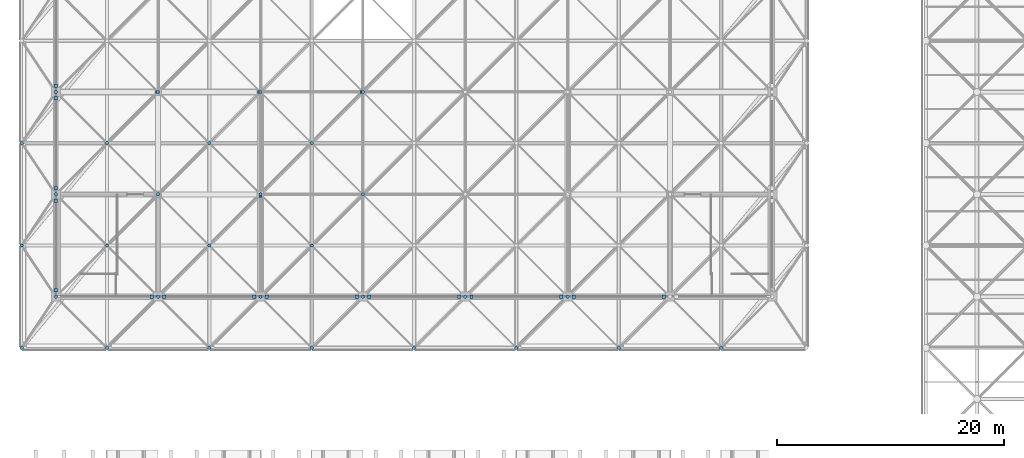
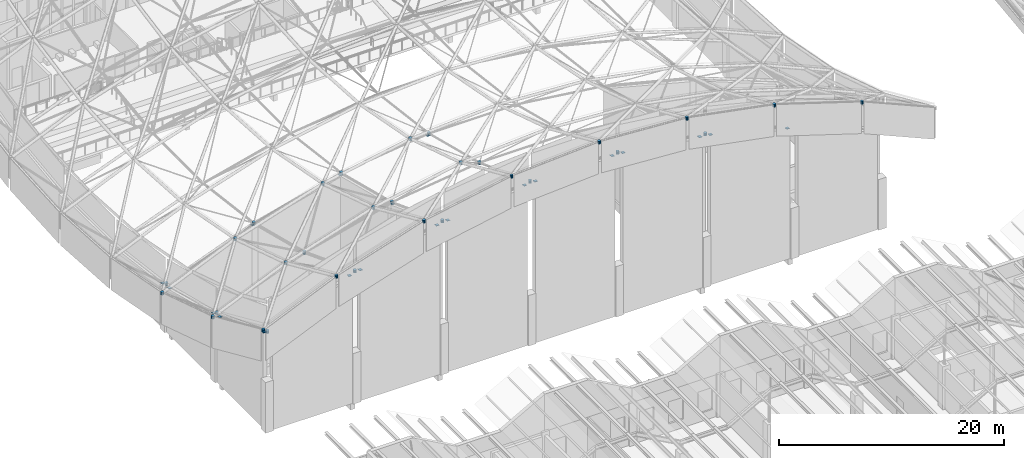
# One storey, part 354 of 437: 50 discrete accessories.
"""IFC4 building model written with IfcOpenShell, lengths in metres."""

from ifc_helpers import new_model, si_unit, direction, frame, origin, origin_2d, place, context, subcontext, project, spatial, polyline, rectangle, outline, extrude, material, layer, layer_set, type_object, element, save


model = new_model("IFC4")

# Units and contexts
model_context = context("Model", 3, precision=1e-05, world=origin(), true_north=direction((0.0, 1.0)))
body_context = subcontext(model_context, "Body", "Model", "MODEL_VIEW")
ifc_project = project(units=[si_unit("LENGTHUNIT", "METRE"), si_unit("AREAUNIT", "SQUARE_METRE"), si_unit("VOLUMEUNIT", "CUBIC_METRE"), si_unit("PLANEANGLEUNIT", "RADIAN"), si_unit("MASSUNIT", "GRAM", prefix="KILO")], contexts=[model_context])

# Site, building, storey
site_placement = place(None, origin())
site = spatial("IfcSite", under=ifc_project, at=site_placement, CompositionType="ELEMENT")
building_placement = place(site_placement, origin())
building = spatial("IfcBuilding", under=site, at=building_placement, Name="Opaline Strait Convention Centre", CompositionType="ELEMENT")
storey_placement = place(building_placement, frame((0.0, 0.0, 11.5)))
storey = spatial("IfcBuildingStorey", under=building, at=storey_placement, Name="L02", CompositionType="ELEMENT", Elevation=11.5)

# Discrete accessories
ifc_material_1 = material(Name="Steel Q355B", Category="steel")
ifc_layer = layer(ifc_material_1, 0.02001953125)
ifc_layer_set = layer_set([ifc_layer], Name="Steel Q355B")
discrete_accessory_type_1 = type_object("IfcDiscreteAccessoryType", Name="Cast-in anchor plate 300 x 300 x 20", PredefinedType="ANCHORPLATE", material=ifc_layer_set)
for number, where, z_axis, x_axis, name in (
    (1, (9.0, 117.5498046875, 10.3134765625), (0.0, 0.0, 1.0), (1.0, 0.0, 0.0), "Cast-in anchor plate at PWB1 web 1-1ad"),
    (2, (9.0, 125.4501953125, 7.18017578125), (0.0, 0.0, 1.0), (1.0, 0.0, 0.0), "Cast-in anchor plate at PWB1 web 1-2ac"),
    (3, (9.0, 126.5498046875, 6.935546875), (0.0, 0.0, 1.0), (1.0, 0.0, 0.0), "Cast-in anchor plate at PWB1 web 1-2ad"),
    (4, (9.0, 134.4501953125, 4.854736328125), (0.0, 0.0, 1.0), (1.0, 0.0, 0.0), "Cast-in anchor plate at PWB1 web 1-3ac"),
    (5, (9.0, 135.5498046875, 4.70068359375), (0.0, 0.0, 1.0), (1.0, 0.0, 0.0), "Cast-in anchor plate at PWB1 web 1-3ad"),
    (6, (17.4501953125, 117.0, 13.816162109375), (0.0, 0.0, 1.0), (1.0, 0.0, 0.0), "Cast-in anchor plate at PWB2 web 2-1ac"),
    (7, (18.5498046875, 117.0, 14.072998046875), (0.0, 0.0, 1.0), (1.0, 0.0, 0.0), "Cast-in anchor plate at PWB2 web 2-1bc"),
    (8, (17.893798828125, 135.0, 8.265380859375), (0.0, 0.0, 1.0), (1.0, 0.0, 0.0), "Cast-in anchor plate at PWB2 web 2-3ac"),
    (9, (26.4501953125, 117.0, 16.152587890625), (0.0, 0.0, 1.0), (1.0, 0.0, 0.0), "Cast-in anchor plate at PWB3 web 3-1ac"),
    (10, (27.5498046875, 117.0, 16.306396484375), (0.0, 0.0, 1.0), (1.0, 0.0, 0.0), "Cast-in anchor plate at PWB3 web 3-1bc"),
    (11, (27.0, 125.893798828125, 12.907470703125), (0.0, 0.0, 1.0), (1.0, 0.0, 0.0), "Cast-in anchor plate at PWB3 web 3-2ac"),
    (12, (26.89990234375, 135.0, 10.54638671875), (0.0, 0.0, 1.0), (1.0, 0.0, 0.0), "Cast-in anchor plate at PWB3 web 3-3ac"),
    (13, (35.4501953125, 117.0, 17.34619140625), (0.0, 0.0, 1.0), (1.0, 0.0, 0.0), "Cast-in anchor plate at PWB3 web 4-1ac"),
    (14, (36.5498046875, 117.0, 17.39697265625), (0.0, 0.0, 1.0), (1.0, 0.0, 0.0), "Cast-in anchor plate at PWB3 web 4-1bc"),
    (15, (35.893798828125, 135.0, 11.682861328125), (0.0, 0.0, 1.0), (1.0, 0.0, 0.0), "Cast-in anchor plate at PWB3 web 4-3ac"),
    (16, (44.4501953125, 117.0, 17.39697265625), (0.0, 0.0, 1.0), (1.0, 0.0, 0.0), "Cast-in anchor plate at PWB3 web 5-1ac"),
    (17, (45.5498046875, 117.0, 17.34619140625), (0.0, 0.0, 1.0), (1.0, 0.0, 0.0), "Cast-in anchor plate at PWB3 web 5-1bc"),
    (18, (53.4501953125, 117.0, 16.306396484375), (0.0, 0.0, 1.0), (1.0, 0.0, 0.0), "Cast-in anchor plate at PWB3 web 6-1ac"),
    (19, (54.5498046875, 117.0, 16.152587890625), (0.0, 0.0, 1.0), (1.0, 0.0, 0.0), "Cast-in anchor plate at PWB3 web 6-1bc"),
    (20, (62.4501953125, 117.0, 14.072998046875), (0.0, 0.0, 1.0), (1.0, 0.0, 0.0), "Cast-in anchor plate at PWB2 web 7-1ac"),
):
    element("IfcDiscreteAccessory", number, at=place(storey_placement, frame(where, z_axis=z_axis, x_axis=x_axis)), inside=storey, type_object=discrete_accessory_type_1, Name=name, PredefinedType="ANCHORPLATE", context=body_context, shape_type="SweptSolid", body=[
        extrude(rectangle(XDim=0.300048828125, YDim=0.300048828125, at=origin_2d()), origin(), (0.0, 0.0, 1.0), 0.02001953125),
    ])
ifc_material_2 = material(Name="Cast steel ZG300-500H (300 MPa)", Category="steel")
discrete_accessory_type_2 = type_object("IfcDiscreteAccessoryType", Name="Shell node hub D300 cast steel", PredefinedType="USERDEFINED", material=ifc_material_2)
discrete_accessory_1_placement = place(storey_placement, frame((0.0, 0.0, 10.5400390625)))
element("IfcDiscreteAccessory", 21, at=discrete_accessory_1_placement, inside=storey, type_object=discrete_accessory_type_2, Name="PNH1 node hub B1-1", ObjectType="NODE HUB", PredefinedType="USERDEFINED", context=body_context, shape_type="SweptSolid", body=[
    extrude(outline(polyline([(9.14990234375, 117.02978515625), (9.127197265625, 117.0849609375), (9.0849609375, 117.127197265625), (9.02978515625, 117.14990234375), (8.97021484375, 117.14990234375), (8.9150390625, 117.127197265625), (8.872802734375, 117.0849609375), (8.85009765625, 117.02978515625), (8.85009765625, 116.97021484375), (8.872802734375, 116.9150390625), (8.9150390625, 116.872802734375), (8.97021484375, 116.85009765625), (9.02978515625, 116.85009765625), (9.0849609375, 116.872802734375), (9.127197265625, 116.9150390625), (9.14990234375, 116.97021484375), (9.14990234375, 117.02978515625)])), origin(), (0.0, 0.0, 1.0), 0.31005859375),
])
discrete_accessory_2_placement = place(storey_placement, frame((0.0, 0.0, 7.111328125)))
element("IfcDiscreteAccessory", 22, at=discrete_accessory_2_placement, inside=storey, type_object=discrete_accessory_type_2, Name="PNH1 node hub B1-2", ObjectType="NODE HUB", PredefinedType="USERDEFINED", context=body_context, shape_type="SweptSolid", body=[
    extrude(outline(polyline([(9.14990234375, 126.02978515625), (9.127197265625, 126.0849609375), (9.0849609375, 126.127197265625), (9.02978515625, 126.14990234375), (8.97021484375, 126.14990234375), (8.9150390625, 126.127197265625), (8.872802734375, 126.0849609375), (8.85009765625, 126.02978515625), (8.85009765625, 125.97021484375), (8.872802734375, 125.9150390625), (8.9150390625, 125.872802734375), (8.97021484375, 125.85009765625), (9.02978515625, 125.85009765625), (9.0849609375, 125.872802734375), (9.127197265625, 125.9150390625), (9.14990234375, 125.97021484375), (9.14990234375, 126.02978515625)])), origin(), (0.0, 0.0, 1.0), 0.31005859375),
])
discrete_accessory_3_placement = place(storey_placement, frame((0.0, 0.0, 4.82568359375)))
element("IfcDiscreteAccessory", 23, at=discrete_accessory_3_placement, inside=storey, type_object=discrete_accessory_type_2, Name="PNH1 node hub B1-3", ObjectType="NODE HUB", PredefinedType="USERDEFINED", context=body_context, shape_type="SweptSolid", body=[
    extrude(outline(polyline([(9.14990234375, 135.02978515625), (9.127197265625, 135.0849609375), (9.0849609375, 135.127197265625), (9.02978515625, 135.14990234375), (8.97021484375, 135.14990234375), (8.9150390625, 135.127197265625), (8.872802734375, 135.0849609375), (8.85009765625, 135.02978515625), (8.85009765625, 134.97021484375), (8.872802734375, 134.9150390625), (8.9150390625, 134.872802734375), (8.97021484375, 134.85009765625), (9.02978515625, 134.85009765625), (9.0849609375, 134.872802734375), (9.127197265625, 134.9150390625), (9.14990234375, 134.97021484375), (9.14990234375, 135.02978515625)])), origin(), (0.0, 0.0, 1.0), 0.31005859375),
])
discrete_accessory_4_placement = place(storey_placement, frame((0.0, 0.0, 13.968505859375)))
element("IfcDiscreteAccessory", 24, at=discrete_accessory_4_placement, inside=storey, type_object=discrete_accessory_type_2, Name="PNH1 node hub B2-1", ObjectType="NODE HUB", PredefinedType="USERDEFINED", context=body_context, shape_type="SweptSolid", body=[
    extrude(outline(polyline([(18.14990234375, 117.02978515625), (18.127197265625, 117.0849609375), (18.0849609375, 117.127197265625), (18.02978515625, 117.14990234375), (17.97021484375, 117.14990234375), (17.9150390625, 117.127197265625), (17.872802734375, 117.0849609375), (17.85009765625, 117.02978515625), (17.85009765625, 116.97021484375), (17.872802734375, 116.9150390625), (17.9150390625, 116.872802734375), (17.97021484375, 116.85009765625), (18.02978515625, 116.85009765625), (18.0849609375, 116.872802734375), (18.127197265625, 116.9150390625), (18.14990234375, 116.97021484375), (18.14990234375, 117.02978515625)])), origin(), (0.0, 0.0, 1.0), 0.31005859375),
])
discrete_accessory_5_placement = place(storey_placement, frame((0.0, 0.0, 10.5400390625)))
element("IfcDiscreteAccessory", 25, at=discrete_accessory_5_placement, inside=storey, type_object=discrete_accessory_type_2, Name="PNH1 node hub B2-2", ObjectType="NODE HUB", PredefinedType="USERDEFINED", context=body_context, shape_type="SweptSolid", body=[
    extrude(outline(polyline([(18.14990234375, 126.02978515625), (18.127197265625, 126.0849609375), (18.0849609375, 126.127197265625), (18.02978515625, 126.14990234375), (17.97021484375, 126.14990234375), (17.9150390625, 126.127197265625), (17.872802734375, 126.0849609375), (17.85009765625, 126.02978515625), (17.85009765625, 125.97021484375), (17.872802734375, 125.9150390625), (17.9150390625, 125.872802734375), (17.97021484375, 125.85009765625), (18.02978515625, 125.85009765625), (18.0849609375, 125.872802734375), (18.127197265625, 125.9150390625), (18.14990234375, 125.97021484375), (18.14990234375, 126.02978515625)])), origin(), (0.0, 0.0, 1.0), 0.31005859375),
])
discrete_accessory_6_placement = place(storey_placement, frame((0.0, 0.0, 8.25439453125)))
element("IfcDiscreteAccessory", 26, at=discrete_accessory_6_placement, inside=storey, type_object=discrete_accessory_type_2, Name="PNH1 node hub B2-3", ObjectType="NODE HUB", PredefinedType="USERDEFINED", context=body_context, shape_type="SweptSolid", body=[
    extrude(outline(polyline([(18.14990234375, 135.02978515625), (18.127197265625, 135.0849609375), (18.0849609375, 135.127197265625), (18.02978515625, 135.14990234375), (17.97021484375, 135.14990234375), (17.9150390625, 135.127197265625), (17.872802734375, 135.0849609375), (17.85009765625, 135.02978515625), (17.85009765625, 134.97021484375), (17.872802734375, 134.9150390625), (17.9150390625, 134.872802734375), (17.97021484375, 134.85009765625), (18.02978515625, 134.85009765625), (18.0849609375, 134.872802734375), (18.127197265625, 134.9150390625), (18.14990234375, 134.97021484375), (18.14990234375, 135.02978515625)])), origin(), (0.0, 0.0, 1.0), 0.309814453125),
])
discrete_accessory_7_placement = place(storey_placement, frame((0.0, 0.0, 16.25439453125)))
element("IfcDiscreteAccessory", 27, at=discrete_accessory_7_placement, inside=storey, type_object=discrete_accessory_type_2, Name="PNH1 node hub B3-1", ObjectType="NODE HUB", PredefinedType="USERDEFINED", context=body_context, shape_type="SweptSolid", body=[
    extrude(outline(polyline([(27.14990234375, 117.02978515625), (27.127197265625, 117.0849609375), (27.0849609375, 117.127197265625), (27.02978515625, 117.14990234375), (26.97021484375, 117.14990234375), (26.9150390625, 117.127197265625), (26.872802734375, 117.0849609375), (26.85009765625, 117.02978515625), (26.85009765625, 116.97021484375), (26.872802734375, 116.9150390625), (26.9150390625, 116.872802734375), (26.97021484375, 116.85009765625), (27.02978515625, 116.85009765625), (27.0849609375, 116.872802734375), (27.127197265625, 116.9150390625), (27.14990234375, 116.97021484375), (27.14990234375, 117.02978515625)])), origin(), (0.0, 0.0, 1.0), 0.309814453125),
])
discrete_accessory_8_placement = place(storey_placement, frame((0.0, 0.0, 12.82568359375)))
element("IfcDiscreteAccessory", 28, at=discrete_accessory_8_placement, inside=storey, type_object=discrete_accessory_type_2, Name="PNH1 node hub B3-2", ObjectType="NODE HUB", PredefinedType="USERDEFINED", context=body_context, shape_type="SweptSolid", body=[
    extrude(outline(polyline([(27.14990234375, 126.02978515625), (27.127197265625, 126.0849609375), (27.0849609375, 126.127197265625), (27.02978515625, 126.14990234375), (26.97021484375, 126.14990234375), (26.9150390625, 126.127197265625), (26.872802734375, 126.0849609375), (26.85009765625, 126.02978515625), (26.85009765625, 125.97021484375), (26.872802734375, 125.9150390625), (26.9150390625, 125.872802734375), (26.97021484375, 125.85009765625), (27.02978515625, 125.85009765625), (27.0849609375, 125.872802734375), (27.127197265625, 125.9150390625), (27.14990234375, 125.97021484375), (27.14990234375, 126.02978515625)])), origin(), (0.0, 0.0, 1.0), 0.31005859375),
])
discrete_accessory_9_placement = place(storey_placement, frame((0.0, 0.0, 10.5400390625)))
element("IfcDiscreteAccessory", 29, at=discrete_accessory_9_placement, inside=storey, type_object=discrete_accessory_type_2, Name="PNH1 node hub B3-3", ObjectType="NODE HUB", PredefinedType="USERDEFINED", context=body_context, shape_type="SweptSolid", body=[
    extrude(outline(polyline([(27.14990234375, 135.02978515625), (27.127197265625, 135.0849609375), (27.0849609375, 135.127197265625), (27.02978515625, 135.14990234375), (26.97021484375, 135.14990234375), (26.9150390625, 135.127197265625), (26.872802734375, 135.0849609375), (26.85009765625, 135.02978515625), (26.85009765625, 134.97021484375), (26.872802734375, 134.9150390625), (26.9150390625, 134.872802734375), (26.97021484375, 134.85009765625), (27.02978515625, 134.85009765625), (27.0849609375, 134.872802734375), (27.127197265625, 134.9150390625), (27.14990234375, 134.97021484375), (27.14990234375, 135.02978515625)])), origin(), (0.0, 0.0, 1.0), 0.31005859375),
])
discrete_accessory_10_placement = place(storey_placement, frame((0.0, 0.0, 17.397216796875)))
element("IfcDiscreteAccessory", 30, at=discrete_accessory_10_placement, inside=storey, type_object=discrete_accessory_type_2, Name="PNH1 node hub B4-1", ObjectType="NODE HUB", PredefinedType="USERDEFINED", context=body_context, shape_type="SweptSolid", body=[
    extrude(outline(polyline([(36.14990234375, 117.02978515625), (36.127197265625, 117.0849609375), (36.0849609375, 117.127197265625), (36.02978515625, 117.14990234375), (35.97021484375, 117.14990234375), (35.9150390625, 117.127197265625), (35.872802734375, 117.0849609375), (35.85009765625, 117.02978515625), (35.85009765625, 116.97021484375), (35.872802734375, 116.9150390625), (35.9150390625, 116.872802734375), (35.97021484375, 116.85009765625), (36.02978515625, 116.85009765625), (36.0849609375, 116.872802734375), (36.127197265625, 116.9150390625), (36.14990234375, 116.97021484375), (36.14990234375, 117.02978515625)])), origin(), (0.0, 0.0, 1.0), 0.309814453125),
])
discrete_accessory_11_placement = place(storey_placement, frame((0.0, 0.0, 13.968505859375)))
element("IfcDiscreteAccessory", 31, at=discrete_accessory_11_placement, inside=storey, type_object=discrete_accessory_type_2, Name="PNH1 node hub B4-2", ObjectType="NODE HUB", PredefinedType="USERDEFINED", context=body_context, shape_type="SweptSolid", body=[
    extrude(outline(polyline([(36.14990234375, 126.02978515625), (36.127197265625, 126.0849609375), (36.0849609375, 126.127197265625), (36.02978515625, 126.14990234375), (35.97021484375, 126.14990234375), (35.9150390625, 126.127197265625), (35.872802734375, 126.0849609375), (35.85009765625, 126.02978515625), (35.85009765625, 125.97021484375), (35.872802734375, 125.9150390625), (35.9150390625, 125.872802734375), (35.97021484375, 125.85009765625), (36.02978515625, 125.85009765625), (36.0849609375, 125.872802734375), (36.127197265625, 125.9150390625), (36.14990234375, 125.97021484375), (36.14990234375, 126.02978515625)])), origin(), (0.0, 0.0, 1.0), 0.31005859375),
])
discrete_accessory_12_placement = place(storey_placement, frame((0.0, 0.0, 11.682861328125)))
element("IfcDiscreteAccessory", 32, at=discrete_accessory_12_placement, inside=storey, type_object=discrete_accessory_type_2, Name="PNH1 node hub B4-3", ObjectType="NODE HUB", PredefinedType="USERDEFINED", context=body_context, shape_type="SweptSolid", body=[
    extrude(outline(polyline([(36.14990234375, 135.02978515625), (36.127197265625, 135.0849609375), (36.0849609375, 135.127197265625), (36.02978515625, 135.14990234375), (35.97021484375, 135.14990234375), (35.9150390625, 135.127197265625), (35.872802734375, 135.0849609375), (35.85009765625, 135.02978515625), (35.85009765625, 134.97021484375), (35.872802734375, 134.9150390625), (35.9150390625, 134.872802734375), (35.97021484375, 134.85009765625), (36.02978515625, 134.85009765625), (36.0849609375, 134.872802734375), (36.127197265625, 134.9150390625), (36.14990234375, 134.97021484375), (36.14990234375, 135.02978515625)])), origin(), (0.0, 0.0, 1.0), 0.31005859375),
])
discrete_accessory_13_placement = place(storey_placement, frame((0.0, 0.0, 17.397216796875)))
element("IfcDiscreteAccessory", 33, at=discrete_accessory_13_placement, inside=storey, type_object=discrete_accessory_type_2, Name="PNH1 node hub B5-1", ObjectType="NODE HUB", PredefinedType="USERDEFINED", context=body_context, shape_type="SweptSolid", body=[
    extrude(outline(polyline([(45.14990234375, 117.02978515625), (45.127197265625, 117.0849609375), (45.0849609375, 117.127197265625), (45.02978515625, 117.14990234375), (44.97021484375, 117.14990234375), (44.9150390625, 117.127197265625), (44.872802734375, 117.0849609375), (44.85009765625, 117.02978515625), (44.85009765625, 116.97021484375), (44.872802734375, 116.9150390625), (44.9150390625, 116.872802734375), (44.97021484375, 116.85009765625), (45.02978515625, 116.85009765625), (45.0849609375, 116.872802734375), (45.127197265625, 116.9150390625), (45.14990234375, 116.97021484375), (45.14990234375, 117.02978515625)])), origin(), (0.0, 0.0, 1.0), 0.309814453125),
])
discrete_accessory_14_placement = place(storey_placement, frame((0.0, 0.0, 16.25439453125)))
element("IfcDiscreteAccessory", 34, at=discrete_accessory_14_placement, inside=storey, type_object=discrete_accessory_type_2, Name="PNH1 node hub B6-1", ObjectType="NODE HUB", PredefinedType="USERDEFINED", context=body_context, shape_type="SweptSolid", body=[
    extrude(outline(polyline([(54.14990234375, 117.02978515625), (54.127197265625, 117.0849609375), (54.0849609375, 117.127197265625), (54.02978515625, 117.14990234375), (53.97021484375, 117.14990234375), (53.9150390625, 117.127197265625), (53.872802734375, 117.0849609375), (53.85009765625, 117.02978515625), (53.85009765625, 116.97021484375), (53.872802734375, 116.9150390625), (53.9150390625, 116.872802734375), (53.97021484375, 116.85009765625), (54.02978515625, 116.85009765625), (54.0849609375, 116.872802734375), (54.127197265625, 116.9150390625), (54.14990234375, 116.97021484375), (54.14990234375, 117.02978515625)])), origin(), (0.0, 0.0, 1.0), 0.309814453125),
])
discrete_accessory_15_placement = place(storey_placement, frame((0.0, 0.0, 14.43603515625)))
element("IfcDiscreteAccessory", 35, at=discrete_accessory_15_placement, inside=storey, type_object=discrete_accessory_type_2, Name="PNH1 node hub T1-1", ObjectType="NODE HUB", PredefinedType="USERDEFINED", context=body_context, shape_type="SweptSolid", body=[
    extrude(outline(polyline([(6.14990234375, 112.52978515625), (6.127197265625, 112.5849609375), (6.0849609375, 112.627197265625), (6.02978515625, 112.64990234375), (5.97021484375, 112.64990234375), (5.9150390625, 112.627197265625), (5.872802734375, 112.5849609375), (5.85009765625, 112.52978515625), (5.85009765625, 112.47021484375), (5.872802734375, 112.4150390625), (5.9150390625, 112.372802734375), (5.97021484375, 112.35009765625), (6.02978515625, 112.35009765625), (6.0849609375, 112.372802734375), (6.127197265625, 112.4150390625), (6.14990234375, 112.47021484375), (6.14990234375, 112.52978515625)])), origin(), (0.0, 0.0, 1.0), 0.31005859375),
])
discrete_accessory_16_placement = place(storey_placement, frame((0.0, 0.0, 10.43603515625)))
element("IfcDiscreteAccessory", 36, at=discrete_accessory_16_placement, inside=storey, type_object=discrete_accessory_type_2, Name="PNH1 node hub T1-2", ObjectType="NODE HUB", PredefinedType="USERDEFINED", context=body_context, shape_type="SweptSolid", body=[
    extrude(outline(polyline([(6.14990234375, 121.52978515625), (6.127197265625, 121.5849609375), (6.0849609375, 121.627197265625), (6.02978515625, 121.64990234375), (5.97021484375, 121.64990234375), (5.9150390625, 121.627197265625), (5.872802734375, 121.5849609375), (5.85009765625, 121.52978515625), (5.85009765625, 121.47021484375), (5.872802734375, 121.4150390625), (5.9150390625, 121.372802734375), (5.97021484375, 121.35009765625), (6.02978515625, 121.35009765625), (6.0849609375, 121.372802734375), (6.127197265625, 121.4150390625), (6.14990234375, 121.47021484375), (6.14990234375, 121.52978515625)])), origin(), (0.0, 0.0, 1.0), 0.31005859375),
])
discrete_accessory_17_placement = place(storey_placement, frame((0.0, 0.0, 7.578857421875)))
element("IfcDiscreteAccessory", 37, at=discrete_accessory_17_placement, inside=storey, type_object=discrete_accessory_type_2, Name="PNH1 node hub T1-3", ObjectType="NODE HUB", PredefinedType="USERDEFINED", context=body_context, shape_type="SweptSolid", body=[
    extrude(outline(polyline([(6.14990234375, 130.52978515625), (6.127197265625, 130.5849609375), (6.0849609375, 130.627197265625), (6.02978515625, 130.64990234375), (5.97021484375, 130.64990234375), (5.9150390625, 130.627197265625), (5.872802734375, 130.5849609375), (5.85009765625, 130.52978515625), (5.85009765625, 130.47021484375), (5.872802734375, 130.4150390625), (5.9150390625, 130.372802734375), (5.97021484375, 130.35009765625), (6.02978515625, 130.35009765625), (6.0849609375, 130.372802734375), (6.127197265625, 130.4150390625), (6.14990234375, 130.47021484375), (6.14990234375, 130.52978515625)])), origin(), (0.0, 0.0, 1.0), 0.31005859375),
])
discrete_accessory_18_placement = place(storey_placement, frame((0.0, 0.0, 17.68994140625)))
element("IfcDiscreteAccessory", 38, at=discrete_accessory_18_placement, inside=storey, type_object=discrete_accessory_type_2, Name="PNH1 node hub T2-1", ObjectType="NODE HUB", PredefinedType="USERDEFINED", context=body_context, shape_type="SweptSolid", body=[
    extrude(outline(polyline([(13.64990234375, 112.52978515625), (13.627197265625, 112.5849609375), (13.5849609375, 112.627197265625), (13.52978515625, 112.64990234375), (13.47021484375, 112.64990234375), (13.4150390625, 112.627197265625), (13.372802734375, 112.5849609375), (13.35009765625, 112.52978515625), (13.35009765625, 112.47021484375), (13.372802734375, 112.4150390625), (13.4150390625, 112.372802734375), (13.47021484375, 112.35009765625), (13.52978515625, 112.35009765625), (13.5849609375, 112.372802734375), (13.627197265625, 112.4150390625), (13.64990234375, 112.47021484375), (13.64990234375, 112.52978515625)])), origin(), (0.0, 0.0, 1.0), 0.31005859375),
])
discrete_accessory_19_placement = place(storey_placement, frame((0.0, 0.0, 13.68994140625)))
element("IfcDiscreteAccessory", 39, at=discrete_accessory_19_placement, inside=storey, type_object=discrete_accessory_type_2, Name="PNH1 node hub T2-2", ObjectType="NODE HUB", PredefinedType="USERDEFINED", context=body_context, shape_type="SweptSolid", body=[
    extrude(outline(polyline([(13.64990234375, 121.52978515625), (13.627197265625, 121.5849609375), (13.5849609375, 121.627197265625), (13.52978515625, 121.64990234375), (13.47021484375, 121.64990234375), (13.4150390625, 121.627197265625), (13.372802734375, 121.5849609375), (13.35009765625, 121.52978515625), (13.35009765625, 121.47021484375), (13.372802734375, 121.4150390625), (13.4150390625, 121.372802734375), (13.47021484375, 121.35009765625), (13.52978515625, 121.35009765625), (13.5849609375, 121.372802734375), (13.627197265625, 121.4150390625), (13.64990234375, 121.47021484375), (13.64990234375, 121.52978515625)])), origin(), (0.0, 0.0, 1.0), 0.31005859375),
])
discrete_accessory_20_placement = place(storey_placement, frame((0.0, 0.0, 10.8330078125)))
element("IfcDiscreteAccessory", 40, at=discrete_accessory_20_placement, inside=storey, type_object=discrete_accessory_type_2, Name="PNH1 node hub T2-3", ObjectType="NODE HUB", PredefinedType="USERDEFINED", context=body_context, shape_type="SweptSolid", body=[
    extrude(outline(polyline([(13.64990234375, 130.52978515625), (13.627197265625, 130.5849609375), (13.5849609375, 130.627197265625), (13.52978515625, 130.64990234375), (13.47021484375, 130.64990234375), (13.4150390625, 130.627197265625), (13.372802734375, 130.5849609375), (13.35009765625, 130.52978515625), (13.35009765625, 130.47021484375), (13.372802734375, 130.4150390625), (13.4150390625, 130.372802734375), (13.47021484375, 130.35009765625), (13.52978515625, 130.35009765625), (13.5849609375, 130.372802734375), (13.627197265625, 130.4150390625), (13.64990234375, 130.47021484375), (13.64990234375, 130.52978515625)])), origin(), (0.0, 0.0, 1.0), 0.309814453125),
])
discrete_accessory_21_placement = place(storey_placement, frame((0.0, 0.0, 20.547119140625)))
element("IfcDiscreteAccessory", 41, at=discrete_accessory_21_placement, inside=storey, type_object=discrete_accessory_type_2, Name="PNH1 node hub T3-1", ObjectType="NODE HUB", PredefinedType="USERDEFINED", context=body_context, shape_type="SweptSolid", body=[
    extrude(outline(polyline([(22.64990234375, 112.52978515625), (22.627197265625, 112.5849609375), (22.5849609375, 112.627197265625), (22.52978515625, 112.64990234375), (22.47021484375, 112.64990234375), (22.4150390625, 112.627197265625), (22.372802734375, 112.5849609375), (22.35009765625, 112.52978515625), (22.35009765625, 112.47021484375), (22.372802734375, 112.4150390625), (22.4150390625, 112.372802734375), (22.47021484375, 112.35009765625), (22.52978515625, 112.35009765625), (22.5849609375, 112.372802734375), (22.627197265625, 112.4150390625), (22.64990234375, 112.47021484375), (22.64990234375, 112.52978515625)])), origin(), (0.0, 0.0, 1.0), 0.31005859375),
])
discrete_accessory_22_placement = place(storey_placement, frame((0.0, 0.0, 16.547119140625)))
element("IfcDiscreteAccessory", 42, at=discrete_accessory_22_placement, inside=storey, type_object=discrete_accessory_type_2, Name="PNH1 node hub T3-2", ObjectType="NODE HUB", PredefinedType="USERDEFINED", context=body_context, shape_type="SweptSolid", body=[
    extrude(outline(polyline([(22.64990234375, 121.52978515625), (22.627197265625, 121.5849609375), (22.5849609375, 121.627197265625), (22.52978515625, 121.64990234375), (22.47021484375, 121.64990234375), (22.4150390625, 121.627197265625), (22.372802734375, 121.5849609375), (22.35009765625, 121.52978515625), (22.35009765625, 121.47021484375), (22.372802734375, 121.4150390625), (22.4150390625, 121.372802734375), (22.47021484375, 121.35009765625), (22.52978515625, 121.35009765625), (22.5849609375, 121.372802734375), (22.627197265625, 121.4150390625), (22.64990234375, 121.47021484375), (22.64990234375, 121.52978515625)])), origin(), (0.0, 0.0, 1.0), 0.31005859375),
])
discrete_accessory_23_placement = place(storey_placement, frame((0.0, 0.0, 13.68994140625)))
element("IfcDiscreteAccessory", 43, at=discrete_accessory_23_placement, inside=storey, type_object=discrete_accessory_type_2, Name="PNH1 node hub T3-3", ObjectType="NODE HUB", PredefinedType="USERDEFINED", context=body_context, shape_type="SweptSolid", body=[
    extrude(outline(polyline([(22.64990234375, 130.52978515625), (22.627197265625, 130.5849609375), (22.5849609375, 130.627197265625), (22.52978515625, 130.64990234375), (22.47021484375, 130.64990234375), (22.4150390625, 130.627197265625), (22.372802734375, 130.5849609375), (22.35009765625, 130.52978515625), (22.35009765625, 130.47021484375), (22.372802734375, 130.4150390625), (22.4150390625, 130.372802734375), (22.47021484375, 130.35009765625), (22.52978515625, 130.35009765625), (22.5849609375, 130.372802734375), (22.627197265625, 130.4150390625), (22.64990234375, 130.47021484375), (22.64990234375, 130.52978515625)])), origin(), (0.0, 0.0, 1.0), 0.31005859375),
])
discrete_accessory_24_placement = place(storey_placement, frame((0.0, 0.0, 22.261474609375)))
element("IfcDiscreteAccessory", 44, at=discrete_accessory_24_placement, inside=storey, type_object=discrete_accessory_type_2, Name="PNH1 node hub T4-1", ObjectType="NODE HUB", PredefinedType="USERDEFINED", context=body_context, shape_type="SweptSolid", body=[
    extrude(outline(polyline([(31.64990234375, 112.52978515625), (31.627197265625, 112.5849609375), (31.5849609375, 112.627197265625), (31.52978515625, 112.64990234375), (31.47021484375, 112.64990234375), (31.4150390625, 112.627197265625), (31.372802734375, 112.5849609375), (31.35009765625, 112.52978515625), (31.35009765625, 112.47021484375), (31.372802734375, 112.4150390625), (31.4150390625, 112.372802734375), (31.47021484375, 112.35009765625), (31.52978515625, 112.35009765625), (31.5849609375, 112.372802734375), (31.627197265625, 112.4150390625), (31.64990234375, 112.47021484375), (31.64990234375, 112.52978515625)])), origin(), (0.0, 0.0, 1.0), 0.309814453125),
])
discrete_accessory_25_placement = place(storey_placement, frame((0.0, 0.0, 18.261474609375)))
element("IfcDiscreteAccessory", 45, at=discrete_accessory_25_placement, inside=storey, type_object=discrete_accessory_type_2, Name="PNH1 node hub T4-2", ObjectType="NODE HUB", PredefinedType="USERDEFINED", context=body_context, shape_type="SweptSolid", body=[
    extrude(outline(polyline([(31.64990234375, 121.52978515625), (31.627197265625, 121.5849609375), (31.5849609375, 121.627197265625), (31.52978515625, 121.64990234375), (31.47021484375, 121.64990234375), (31.4150390625, 121.627197265625), (31.372802734375, 121.5849609375), (31.35009765625, 121.52978515625), (31.35009765625, 121.47021484375), (31.372802734375, 121.4150390625), (31.4150390625, 121.372802734375), (31.47021484375, 121.35009765625), (31.52978515625, 121.35009765625), (31.5849609375, 121.372802734375), (31.627197265625, 121.4150390625), (31.64990234375, 121.47021484375), (31.64990234375, 121.52978515625)])), origin(), (0.0, 0.0, 1.0), 0.309814453125),
])
discrete_accessory_26_placement = place(storey_placement, frame((0.0, 0.0, 15.404296875)))
element("IfcDiscreteAccessory", 46, at=discrete_accessory_26_placement, inside=storey, type_object=discrete_accessory_type_2, Name="PNH1 node hub T4-3", ObjectType="NODE HUB", PredefinedType="USERDEFINED", context=body_context, shape_type="SweptSolid", body=[
    extrude(outline(polyline([(31.64990234375, 130.52978515625), (31.627197265625, 130.5849609375), (31.5849609375, 130.627197265625), (31.52978515625, 130.64990234375), (31.47021484375, 130.64990234375), (31.4150390625, 130.627197265625), (31.372802734375, 130.5849609375), (31.35009765625, 130.52978515625), (31.35009765625, 130.47021484375), (31.372802734375, 130.4150390625), (31.4150390625, 130.372802734375), (31.47021484375, 130.35009765625), (31.52978515625, 130.35009765625), (31.5849609375, 130.372802734375), (31.627197265625, 130.4150390625), (31.64990234375, 130.47021484375), (31.64990234375, 130.52978515625)])), origin(), (0.0, 0.0, 1.0), 0.31005859375),
])
discrete_accessory_27_placement = place(storey_placement, frame((0.0, 0.0, 22.8330078125)))
element("IfcDiscreteAccessory", 47, at=discrete_accessory_27_placement, inside=storey, type_object=discrete_accessory_type_2, Name="PNH1 node hub T5-1", ObjectType="NODE HUB", PredefinedType="USERDEFINED", context=body_context, shape_type="SweptSolid", body=[
    extrude(outline(polyline([(40.64990234375, 112.52978515625), (40.627197265625, 112.5849609375), (40.5849609375, 112.627197265625), (40.52978515625, 112.64990234375), (40.47021484375, 112.64990234375), (40.4150390625, 112.627197265625), (40.372802734375, 112.5849609375), (40.35009765625, 112.52978515625), (40.35009765625, 112.47021484375), (40.372802734375, 112.4150390625), (40.4150390625, 112.372802734375), (40.47021484375, 112.35009765625), (40.52978515625, 112.35009765625), (40.5849609375, 112.372802734375), (40.627197265625, 112.4150390625), (40.64990234375, 112.47021484375), (40.64990234375, 112.52978515625)])), origin(), (0.0, 0.0, 1.0), 0.309814453125),
])
discrete_accessory_28_placement = place(storey_placement, frame((0.0, 0.0, 22.261474609375)))
element("IfcDiscreteAccessory", 48, at=discrete_accessory_28_placement, inside=storey, type_object=discrete_accessory_type_2, Name="PNH1 node hub T6-1", ObjectType="NODE HUB", PredefinedType="USERDEFINED", context=body_context, shape_type="SweptSolid", body=[
    extrude(outline(polyline([(49.64990234375, 112.52978515625), (49.627197265625, 112.5849609375), (49.5849609375, 112.627197265625), (49.52978515625, 112.64990234375), (49.47021484375, 112.64990234375), (49.4150390625, 112.627197265625), (49.372802734375, 112.5849609375), (49.35009765625, 112.52978515625), (49.35009765625, 112.47021484375), (49.372802734375, 112.4150390625), (49.4150390625, 112.372802734375), (49.47021484375, 112.35009765625), (49.52978515625, 112.35009765625), (49.5849609375, 112.372802734375), (49.627197265625, 112.4150390625), (49.64990234375, 112.47021484375), (49.64990234375, 112.52978515625)])), origin(), (0.0, 0.0, 1.0), 0.309814453125),
])
discrete_accessory_29_placement = place(storey_placement, frame((0.0, 0.0, 20.547119140625)))
element("IfcDiscreteAccessory", 49, at=discrete_accessory_29_placement, inside=storey, type_object=discrete_accessory_type_2, Name="PNH1 node hub T7-1", ObjectType="NODE HUB", PredefinedType="USERDEFINED", context=body_context, shape_type="SweptSolid", body=[
    extrude(outline(polyline([(58.64990234375, 112.52978515625), (58.627197265625, 112.5849609375), (58.5849609375, 112.627197265625), (58.52978515625, 112.64990234375), (58.47021484375, 112.64990234375), (58.4150390625, 112.627197265625), (58.372802734375, 112.5849609375), (58.35009765625, 112.52978515625), (58.35009765625, 112.47021484375), (58.372802734375, 112.4150390625), (58.4150390625, 112.372802734375), (58.47021484375, 112.35009765625), (58.52978515625, 112.35009765625), (58.5849609375, 112.372802734375), (58.627197265625, 112.4150390625), (58.64990234375, 112.47021484375), (58.64990234375, 112.52978515625)])), origin(), (0.0, 0.0, 1.0), 0.31005859375),
])
discrete_accessory_30_placement = place(storey_placement, frame((0.0, 0.0, 17.68994140625)))
element("IfcDiscreteAccessory", 50, at=discrete_accessory_30_placement, inside=storey, type_object=discrete_accessory_type_2, Name="PNH1 node hub T8-1", ObjectType="NODE HUB", PredefinedType="USERDEFINED", context=body_context, shape_type="SweptSolid", body=[
    extrude(outline(polyline([(67.64990234375, 112.52978515625), (67.627197265625, 112.5849609375), (67.5849609375, 112.627197265625), (67.52978515625, 112.64990234375), (67.47021484375, 112.64990234375), (67.4150390625, 112.627197265625), (67.372802734375, 112.5849609375), (67.35009765625, 112.52978515625), (67.35009765625, 112.47021484375), (67.372802734375, 112.4150390625), (67.4150390625, 112.372802734375), (67.47021484375, 112.35009765625), (67.52978515625, 112.35009765625), (67.5849609375, 112.372802734375), (67.627197265625, 112.4150390625), (67.64990234375, 112.47021484375), (67.64990234375, 112.52978515625)])), origin(), (0.0, 0.0, 1.0), 0.31005859375),
])

save(model, "model.ifc")
